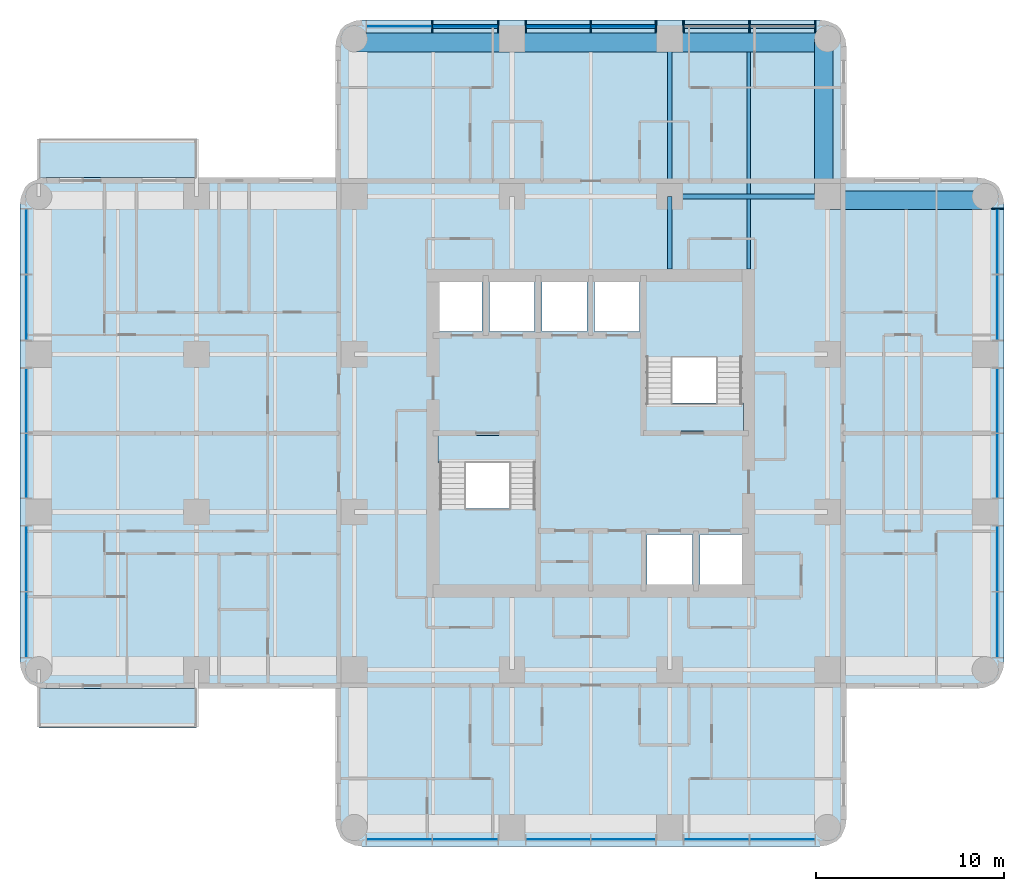
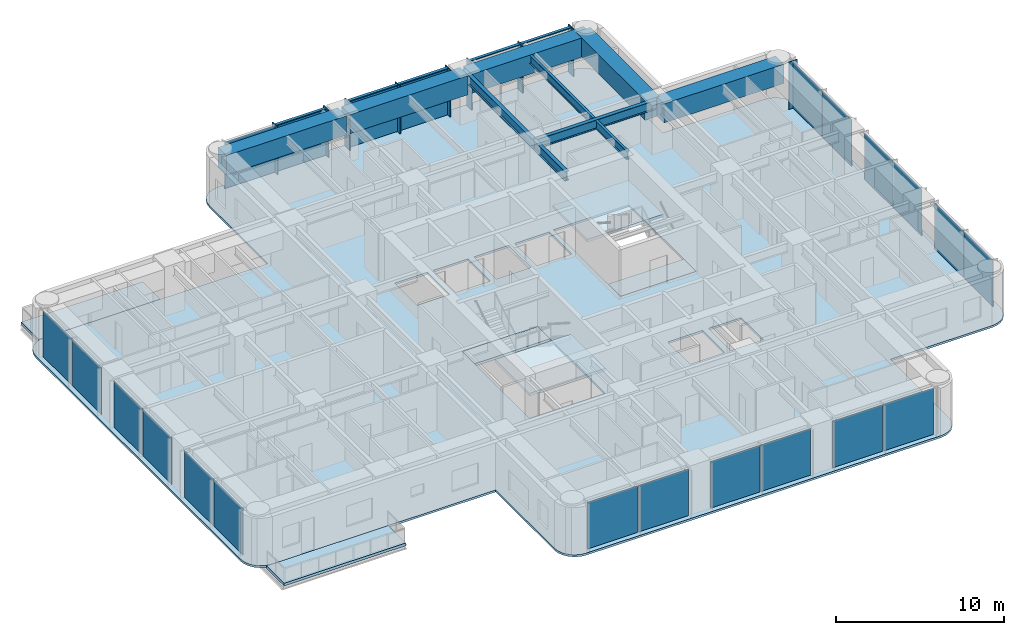
# One storey, part 3 of 11: 22 plates, 14 members, 10 beams, 7 slabs, 6 elements without a shape of their own.
"""IFC4 building model written with IfcOpenShell, lengths in metres."""

from ifc_helpers import new_model, si_unit, direction, frame, origin, origin_2d, place, context, subcontext, project, spatial, polyline, rectangle, i_section, outline, extrude, material, layer, layer_set, material_profile, profile_set, type_object, element, aggregate, save


model = new_model("IFC4")

# Units and contexts
model_context = context("Model", 3, precision=1e-05, world=origin(), true_north=direction((0.0, 1.0)))
body_context = subcontext(model_context, "Body", "Model", "MODEL_VIEW")
ifc_project = project(units=[si_unit("LENGTHUNIT", "METRE"), si_unit("AREAUNIT", "SQUARE_METRE"), si_unit("VOLUMEUNIT", "CUBIC_METRE"), si_unit("PLANEANGLEUNIT", "RADIAN"), si_unit("MASSUNIT", "GRAM", prefix="KILO")], contexts=[model_context])

# Site, building, storey
site_placement = place(None, origin())
site = spatial("IfcSite", under=ifc_project, at=site_placement, CompositionType="ELEMENT")
building_placement = place(site_placement, origin())
building = spatial("IfcBuilding", under=site, at=building_placement, Name="Torre Alcanfor", CompositionType="ELEMENT")
storey_placement = place(building_placement, frame((0.0, 0.0, 190.5)))
storey = spatial("IfcBuildingStorey", under=building, at=storey_placement, Name="L49", CompositionType="ELEMENT", Elevation=190.5)

# Curtain wall, member
ifc_material_1 = material(Name="Aluminium and glass", Category="aluminium")
curtain_wall_type = type_object("IfcCurtainWallType", Name="CW-A unitised apartment glazing with vertical FIN", PredefinedType="NOTDEFINED", material=ifc_material_1)
curtain_wall_1_placement = place(storey_placement, origin())
curtain_wall_1 = element("IfcCurtainWall", 1, at=curtain_wall_1_placement, inside=storey, type_object=curtain_wall_type, Name="Curtain wall CW-A L49 8", PredefinedType="NOTDEFINED")
ifc_material_2 = material(Name="Bronze anodised aluminium", Category="aluminium")
ifc_material_profile_1 = material_profile(ifc_material_2, rectangle(XDim=0.60009765625, YDim=0.06494140625, at=origin_2d()), Name="CW-A mullion 65x600")
ifc_profile_set_1 = profile_set([ifc_material_profile_1], Name="Bronze anodised aluminium")
member_type_1 = type_object("IfcMemberType", Name="CW-A mullion with vertical FIN 65x600", PredefinedType="MULLION", material=ifc_profile_set_1)
member_1_placement = place(storey_placement, frame((51.050048828125, 41.35546875, 0.0), z_axis=(0.0, 0.0, 1.0), x_axis=(-1.0, 0.0, 0.0)))
member_1 = element("IfcMember", 2, at=member_1_placement, type_object=member_type_1, Name="CW-A mullion 3.3", PredefinedType="MULLION", context=body_context, shape_type="SweptSolid", body=[
    extrude(rectangle(XDim=0.60009765625, YDim=0.06494140625, at=origin_2d()), origin(), (0.0, 0.0, 1.0), 3.449951171875),
])

# Curtain wall, members
curtain_wall_2_placement = place(storey_placement, origin())
curtain_wall_2 = element("IfcCurtainWall", 3, at=curtain_wall_2_placement, inside=storey, type_object=curtain_wall_type, Name="Curtain wall CW-A L49 11", PredefinedType="NOTDEFINED")
member_2_placement = place(storey_placement, frame((41.35546875, 51.050048828125, 0.0), z_axis=(0.0, 0.0, 1.0), x_axis=(0.0, -1.0, 0.0)))
member_2 = element("IfcMember", 4, at=member_2_placement, type_object=member_type_1, Name="CW-A mullion 1.1", PredefinedType="MULLION", context=body_context, shape_type="SweptSolid", body=[
    extrude(rectangle(XDim=0.60009765625, YDim=0.06494140625, at=origin_2d()), origin(), (0.0, 0.0, 1.0), 3.449951171875),
])
member_3_placement = place(storey_placement, frame((37.846435546875, 51.050048828125, 0.0), z_axis=(0.0, 0.0, 1.0), x_axis=(0.0, -1.0, 0.0)))
member_3 = element("IfcMember", 5, at=member_3_placement, type_object=member_type_1, Name="CW-A mullion 1.2", PredefinedType="MULLION", context=body_context, shape_type="SweptSolid", body=[
    extrude(rectangle(XDim=0.60009765625, YDim=0.06494140625, at=origin_2d()), origin(), (0.0, 0.0, 1.0), 3.449951171875),
])
member_4_placement = place(storey_placement, frame((34.33740234375, 51.050048828125, 0.0), z_axis=(0.0, 0.0, 1.0), x_axis=(0.0, -1.0, 0.0)))
member_4 = element("IfcMember", 6, at=member_4_placement, type_object=member_type_1, Name="CW-A mullion 1.3", PredefinedType="MULLION", context=body_context, shape_type="SweptSolid", body=[
    extrude(rectangle(XDim=0.60009765625, YDim=0.06494140625, at=origin_2d()), origin(), (0.0, 0.0, 1.0), 3.449951171875),
])
member_5_placement = place(storey_placement, frame((32.862548828125, 51.050048828125, 0.0), z_axis=(0.0, 0.0, 1.0), x_axis=(0.0, -1.0, 0.0)))
member_5 = element("IfcMember", 7, at=member_5_placement, type_object=member_type_1, Name="CW-A mullion 2.1", PredefinedType="MULLION", context=body_context, shape_type="SweptSolid", body=[
    extrude(rectangle(XDim=0.60009765625, YDim=0.06494140625, at=origin_2d()), origin(), (0.0, 0.0, 1.0), 3.449951171875),
])
member_6_placement = place(storey_placement, frame((29.39990234375, 51.050048828125, 0.0), z_axis=(0.0, 0.0, 1.0), x_axis=(0.0, -1.0, 0.0)))
member_6 = element("IfcMember", 8, at=member_6_placement, type_object=member_type_1, Name="CW-A mullion 2.2", PredefinedType="MULLION", context=body_context, shape_type="SweptSolid", body=[
    extrude(rectangle(XDim=0.60009765625, YDim=0.06494140625, at=origin_2d()), origin(), (0.0, 0.0, 1.0), 3.449951171875),
])
member_7_placement = place(storey_placement, frame((25.9375, 51.050048828125, 0.0), z_axis=(0.0, 0.0, 1.0), x_axis=(0.0, -1.0, 0.0)))
member_7 = element("IfcMember", 9, at=member_7_placement, type_object=member_type_1, Name="CW-A mullion 2.3", PredefinedType="MULLION", context=body_context, shape_type="SweptSolid", body=[
    extrude(rectangle(XDim=0.60009765625, YDim=0.06494140625, at=origin_2d()), origin(), (0.0, 0.0, 1.0), 3.449951171875),
])
member_8_placement = place(storey_placement, frame((24.46240234375, 51.050048828125, 0.0), z_axis=(0.0, 0.0, 1.0), x_axis=(0.0, -1.0, 0.0)))
member_8 = element("IfcMember", 10, at=member_8_placement, type_object=member_type_1, Name="CW-A mullion 3.1", PredefinedType="MULLION", context=body_context, shape_type="SweptSolid", body=[
    extrude(rectangle(XDim=0.60009765625, YDim=0.06494140625, at=origin_2d()), origin(), (0.0, 0.0, 1.0), 3.449951171875),
])
member_9_placement = place(storey_placement, frame((20.95361328125, 51.050048828125, 0.0), z_axis=(0.0, 0.0, 1.0), x_axis=(0.0, -1.0, 0.0)))
member_9 = element("IfcMember", 11, at=member_9_placement, type_object=member_type_1, Name="CW-A mullion 3.2", PredefinedType="MULLION", context=body_context, shape_type="SweptSolid", body=[
    extrude(rectangle(XDim=0.60009765625, YDim=0.06494140625, at=origin_2d()), origin(), (0.0, 0.0, 1.0), 3.449951171875),
])
ifc_material_3 = material(Name="Extruded aluminium", Category="aluminium")
ifc_material_profile_2 = material_profile(ifc_material_3, rectangle(XDim=0.199951171875, YDim=0.06494140625, at=origin_2d()), Name="CW-A transom 200x65")
ifc_profile_set_2 = profile_set([ifc_material_profile_2], Name="Extruded aluminium")
member_type_2 = type_object("IfcMemberType", Name="CW-A transom 65x200", PredefinedType="USERDEFINED", material=ifc_profile_set_2)
member_10_placement = place(storey_placement, frame((41.322998046875, 51.050048828125, 3.41748046875), z_axis=(-1.0, 0.0, 0.0), x_axis=(0.0, -1.0, 0.0)))
member_10 = element("IfcMember", 12, at=member_10_placement, type_object=member_type_2, Name="CW-A transom 1.1.2", ObjectType="TRANSOM", PredefinedType="USERDEFINED", context=body_context, shape_type="SweptSolid", body=[
    extrude(rectangle(XDim=0.199951171875, YDim=0.06494140625, at=origin_2d()), origin(), (0.0, 0.0, 1.0), 3.444091796875),
])
member_11_placement = place(storey_placement, frame((37.81396484375, 51.050048828125, 3.41748046875), z_axis=(-1.0, 0.0, 0.0), x_axis=(0.0, -1.0, 0.0)))
member_11 = element("IfcMember", 13, at=member_11_placement, type_object=member_type_2, Name="CW-A transom 1.2.2", ObjectType="TRANSOM", PredefinedType="USERDEFINED", context=body_context, shape_type="SweptSolid", body=[
    extrude(rectangle(XDim=0.199951171875, YDim=0.06494140625, at=origin_2d()), origin(), (0.0, 0.0, 1.0), 3.44384765625),
])
member_12_placement = place(storey_placement, frame((32.830078125, 51.050048828125, 3.41748046875), z_axis=(-1.0, 0.0, 0.0), x_axis=(0.0, -1.0, 0.0)))
member_12 = element("IfcMember", 14, at=member_12_placement, type_object=member_type_2, Name="CW-A transom 2.1.2", ObjectType="TRANSOM", PredefinedType="USERDEFINED", context=body_context, shape_type="SweptSolid", body=[
    extrude(rectangle(XDim=0.199951171875, YDim=0.06494140625, at=origin_2d()), origin(), (0.0, 0.0, 1.0), 3.3974609375),
])
member_13_placement = place(storey_placement, frame((29.367431640625, 51.050048828125, 3.41748046875), z_axis=(-1.0, 0.0, 0.0), x_axis=(0.0, -1.0, 0.0)))
member_13 = element("IfcMember", 15, at=member_13_placement, type_object=member_type_2, Name="CW-A transom 2.2.2", ObjectType="TRANSOM", PredefinedType="USERDEFINED", context=body_context, shape_type="SweptSolid", body=[
    extrude(rectangle(XDim=0.199951171875, YDim=0.06494140625, at=origin_2d()), origin(), (0.0, 0.0, 1.0), 3.3974609375),
])
member_14_placement = place(storey_placement, frame((24.429931640625, 51.050048828125, 3.41748046875), z_axis=(-1.0, 0.0, 0.0), x_axis=(0.0, -1.0, 0.0)))
member_14 = element("IfcMember", 16, at=member_14_placement, type_object=member_type_2, Name="CW-A transom 3.1.2", ObjectType="TRANSOM", PredefinedType="USERDEFINED", context=body_context, shape_type="SweptSolid", body=[
    extrude(rectangle(XDim=0.199951171875, YDim=0.06494140625, at=origin_2d()), origin(), (0.0, 0.0, 1.0), 3.44384765625),
])

# Beams
ifc_material_4 = material(Name="Steel ASTM A992 Grade 50", Category="steel")
ifc_material_profile_3 = material_profile(ifc_material_4, i_section(OverallWidth=0.25390625, OverallDepth=0.683349609375, WebThickness=0.012451171875, FlangeThickness=0.01904296875, at=origin_2d()), Name="W27x94")
ifc_profile_set_3 = profile_set([ifc_material_profile_3], Name="Steel ASTM A992 Grade 50")
beam_type_1 = type_object("IfcBeamType", Name="Girder W27x94", PredefinedType="BEAM", material=ifc_profile_set_3)
for number, where, z_axis, x_axis, name in (
    (17, (33.60009765625, 42.0, 3.1083984375), (1.0, 0.0, 0.0), (0.0, 1.0, 0.0), "Beam 5H-6H under L50"),
    (18, (33.60009765625, 42.0, 3.1083984375), (0.0, 1.0, 0.0), (-1.0, 0.0, 0.0), "Beam 5H-5J under L50"),
):
    element("IfcBeam", number, at=place(storey_placement, frame(where, z_axis=z_axis, x_axis=x_axis)), inside=storey, type_object=beam_type_1, Name=name, PredefinedType="BEAM", context=body_context, shape_type="SweptSolid", body=[
        extrude(i_section(OverallWidth=0.25390625, OverallDepth=0.683349609375, WebThickness=0.012451171875, FlangeThickness=0.01904296875, at=origin_2d()), origin(), (0.0, 0.0, 1.0), 8.39990234375),
    ])
ifc_material_5 = material(Name="Steel ASTM A992 Grade 50", Category="steel")
ifc_material_profile_4 = material_profile(ifc_material_5, i_section(OverallWidth=0.25390625, OverallDepth=0.683349609375, WebThickness=0.012451171875, FlangeThickness=0.01904296875, at=origin_2d()), Name="W27x94")
ifc_profile_set_4 = profile_set([ifc_material_profile_4], Name="Steel ASTM A992 Grade 50")
beam_type_2 = type_object("IfcBeamType", Name="Girder, part bay W27x94", PredefinedType="BEAM", material=ifc_profile_set_4)
beam_1_placement = place(storey_placement, frame((33.60009765625, 42.0, 3.1083984375), z_axis=(0.0, -1.0, 0.0), x_axis=(1.0, 0.0, 0.0)))
element("IfcBeam", 19, at=beam_1_placement, inside=storey, type_object=beam_type_2, Name="Beam 5H-538_15 under L50", PredefinedType="BEAM", context=body_context, shape_type="SweptSolid", body=[
    extrude(i_section(OverallWidth=0.25390625, OverallDepth=0.683349609375, WebThickness=0.012451171875, FlangeThickness=0.01904296875, at=origin_2d()), origin(), (0.0, 0.0, 1.0), 3.85009765625),
])
ifc_material_6 = material(Name="Concrete f'c 70 MPa", Category="concrete")
ifc_material_profile_5 = material_profile(ifc_material_6, rectangle(XDim=1.0, YDim=1.39990234375, at=origin_2d()), Name="1000x1400")
ifc_profile_set_5 = profile_set([ifc_material_profile_5], Name="Concrete f'c 70 MPa")
beam_type_3 = type_object("IfcBeamType", Name="RC perimeter beam 1000x1400", PredefinedType="BEAM", material=ifc_profile_set_5)
for number, where, z_axis, x_axis, name in (
    (20, (42.126953125, 41.800048828125, 2.75), (1.0, 0.0, 0.0), (0.0, 1.0, 0.0), "Beam 6H-7H under L50"),
    (21, (16.800048828125, 50.199951171875, 2.75), (1.0, 0.0, 0.0), (0.0, 1.0, 0.0), "Beam 3J-4J under L50"),
):
    element("IfcBeam", number, at=place(storey_placement, frame(where, z_axis=z_axis, x_axis=x_axis)), inside=storey, type_object=beam_type_3, Name=name, PredefinedType="BEAM", context=body_context, shape_type="SweptSolid", body=[
        extrude(rectangle(XDim=1.0, YDim=1.39990234375, at=origin_2d()), origin(), (0.0, 0.0, 1.0), 8.27294921875),
    ])
beam_2_placement = place(storey_placement, frame((25.326904296875, 50.199951171875, 2.75), z_axis=(1.0, 0.0, 0.0), x_axis=(0.0, 1.0, 0.0)))
element("IfcBeam", 22, at=beam_2_placement, inside=storey, type_object=beam_type_3, Name="Beam 4J-5J under L50", PredefinedType="BEAM", context=body_context, shape_type="SweptSolid", body=[
    extrude(rectangle(XDim=1.0, YDim=1.39990234375, at=origin_2d()), origin(), (0.0, 0.0, 1.0), 8.14599609375),
])
for number, where, z_axis, x_axis, name in (
    (23, (33.72705078125, 50.199951171875, 2.75), (1.0, 0.0, 0.0), (0.0, 1.0, 0.0), "Beam 5J-6J under L50"),
    (24, (41.800048828125, 42.126953125, 2.75), (0.0, 1.0, 0.0), (-1.0, 0.0, 0.0), "Beam 6H-6J under L50"),
):
    element("IfcBeam", number, at=place(storey_placement, frame(where, z_axis=z_axis, x_axis=x_axis)), inside=storey, type_object=beam_type_3, Name=name, PredefinedType="BEAM", context=body_context, shape_type="SweptSolid", body=[
        extrude(rectangle(XDim=1.0, YDim=1.39990234375, at=origin_2d()), origin(), (0.0, 0.0, 1.0), 8.27294921875),
    ])
ifc_material_7 = material(Name="Steel ASTM A992 Grade 50", Category="steel")
ifc_material_profile_6 = material_profile(ifc_material_7, i_section(OverallWidth=0.1787109375, OverallDepth=0.60205078125, WebThickness=0.010986328125, FlangeThickness=0.014892578125, at=origin_2d()), Name="W24x62")
ifc_profile_set_6 = profile_set([ifc_material_profile_6], Name="Steel ASTM A992 Grade 50")
beam_type_4 = type_object("IfcBeamType", Name="Secondary beam W24x62", PredefinedType="BEAM", material=ifc_profile_set_6)
beam_3_placement = place(storey_placement, frame((37.800048828125, 42.126953125, 3.14892578125), z_axis=(0.0, 1.0, 0.0), x_axis=(-1.0, 0.0, 0.0)))
element("IfcBeam", 25, at=beam_3_placement, inside=storey, type_object=beam_type_4, Name="Beam 37_8H-37_8J under L50", PredefinedType="BEAM", context=body_context, shape_type="SweptSolid", body=[
    extrude(i_section(OverallWidth=0.1787109375, OverallDepth=0.60205078125, WebThickness=0.010986328125, FlangeThickness=0.014892578125, at=origin_2d()), origin(), (0.0, 0.0, 1.0), 7.572998046875),
])
ifc_material_8 = material(Name="Steel ASTM A992 Grade 50", Category="steel")
ifc_material_profile_7 = material_profile(ifc_material_8, i_section(OverallWidth=0.1787109375, OverallDepth=0.60205078125, WebThickness=0.010986328125, FlangeThickness=0.014892578125, at=origin_2d()), Name="W24x62")
ifc_profile_set_7 = profile_set([ifc_material_profile_7], Name="Steel ASTM A992 Grade 50")
beam_type_5 = type_object("IfcBeamType", Name="Secondary beam, part bay W24x62", PredefinedType="BEAM", material=ifc_profile_set_7)
beam_4_placement = place(storey_placement, frame((37.800048828125, 38.14990234375, 3.14892578125), z_axis=(0.0, 1.0, 0.0), x_axis=(-1.0, 0.0, 0.0)))
element("IfcBeam", 26, at=beam_4_placement, inside=storey, type_object=beam_type_5, Name="Beam 37_838_15-37_8H under L50", PredefinedType="BEAM", context=body_context, shape_type="SweptSolid", body=[
    extrude(i_section(OverallWidth=0.1787109375, OverallDepth=0.60205078125, WebThickness=0.010986328125, FlangeThickness=0.014892578125, at=origin_2d()), origin(), (0.0, 0.0, 1.0), 3.72314453125),
])

# Slabs
ifc_material_9 = material(Name="Concrete f'c 35 MPa", Category="concrete")
ifc_layer_1 = layer(ifc_material_9, 0.199951171875)
ifc_layer_set_1 = layer_set([ifc_layer_1], Name="Balcony slab 200")
slab_type_1 = type_object("IfcSlabType", Name="Balcony slab 200", PredefinedType="FLOOR", material=ifc_layer_set_1)
slab_1_placement = place(storey_placement, frame((0.0, 0.0, -0.199951171875)))
element("IfcSlab", 27, at=slab_1_placement, inside=storey, type_object=slab_type_1, Name="Balcony L49-W1", PredefinedType="FLOOR", context=body_context, shape_type="SweptSolid", body=[
    extrude(outline(polyline([(8.39990234375, 15.800048828125), (0.0, 15.800048828125), (0.0, 13.699951171875), (8.39990234375, 13.699951171875), (8.39990234375, 15.800048828125)])), origin(), (0.0, 0.0, 1.0), 0.199951171875),
])
slab_2_placement = place(storey_placement, frame((0.0, 0.0, -0.199951171875)))
element("IfcSlab", 28, at=slab_2_placement, inside=storey, type_object=slab_type_1, Name="Balcony L49-W2", PredefinedType="FLOOR", context=body_context, shape_type="SweptSolid", body=[
    extrude(outline(polyline([(8.39990234375, 45.10009765625), (0.0, 45.10009765625), (0.0, 43.0), (8.39990234375, 43.0), (8.39990234375, 45.10009765625)])), origin(), (0.0, 0.0, 1.0), 0.199951171875),
])

# Curtain wall, plates
curtain_wall_3_placement = place(storey_placement, origin())
curtain_wall_3 = element("IfcCurtainWall", 29, at=curtain_wall_3_placement, inside=storey, type_object=curtain_wall_type, Name="Curtain wall CW-A L49 2", PredefinedType="NOTDEFINED")
ifc_material_10 = material(Name="Glass", Category="glass")
ifc_layer_2 = layer(ifc_material_10, 0.028076171875)
ifc_layer_set_2 = layer_set([ifc_layer_2], Name="CW-A clear double glazed unit")
plate_type = type_object("IfcPlateType", Name="CW-A clear double glazed unit", PredefinedType="CURTAIN_PANEL", material=ifc_layer_set_2)
plate_1_placement = place(storey_placement, frame((-0.64990234375, 39.60107421875, 0.0), z_axis=(0.0, 0.0, 1.0), x_axis=(0.0, -1.0, 0.0)))
plate_1 = element("IfcPlate", 30, at=plate_1_placement, type_object=plate_type, Name="CW-A panel 1.1.1", PredefinedType="CURTAIN_PANEL", context=body_context, shape_type="SweptSolid", body=[
    extrude(rectangle(XDim=3.444091796875, YDim=0.028076171875, at=origin_2d()), origin(), (0.0, 0.0, 1.0), 3.385009765625),
])
plate_2_placement = place(storey_placement, frame((-0.64990234375, 36.092041015625, 0.0), z_axis=(0.0, 0.0, 1.0), x_axis=(0.0, -1.0, 0.0)))
plate_2 = element("IfcPlate", 31, at=plate_2_placement, type_object=plate_type, Name="CW-A panel 1.2.1", PredefinedType="CURTAIN_PANEL", context=body_context, shape_type="SweptSolid", body=[
    extrude(rectangle(XDim=3.444091796875, YDim=0.028076171875, at=origin_2d()), origin(), (0.0, 0.0, 1.0), 3.385009765625),
])
plate_3_placement = place(storey_placement, frame((-0.64990234375, 31.13134765625, 0.0), z_axis=(0.0, 0.0, 1.0), x_axis=(0.0, -1.0, 0.0)))
plate_3 = element("IfcPlate", 32, at=plate_3_placement, type_object=plate_type, Name="CW-A panel 2.1.1", PredefinedType="CURTAIN_PANEL", context=body_context, shape_type="SweptSolid", body=[
    extrude(rectangle(XDim=3.3974609375, YDim=0.028076171875, at=origin_2d()), origin(), (0.0, 0.0, 1.0), 3.385009765625),
])
plate_4_placement = place(storey_placement, frame((-0.64990234375, 27.668701171875, 0.0), z_axis=(0.0, 0.0, 1.0), x_axis=(0.0, -1.0, 0.0)))
plate_4 = element("IfcPlate", 33, at=plate_4_placement, type_object=plate_type, Name="CW-A panel 2.2.1", PredefinedType="CURTAIN_PANEL", context=body_context, shape_type="SweptSolid", body=[
    extrude(rectangle(XDim=3.3974609375, YDim=0.028076171875, at=origin_2d()), origin(), (0.0, 0.0, 1.0), 3.385009765625),
])
plate_5_placement = place(storey_placement, frame((-0.64990234375, 22.7080078125, 0.0), z_axis=(0.0, 0.0, 1.0), x_axis=(0.0, -1.0, 0.0)))
plate_5 = element("IfcPlate", 34, at=plate_5_placement, type_object=plate_type, Name="CW-A panel 3.1.1", PredefinedType="CURTAIN_PANEL", context=body_context, shape_type="SweptSolid", body=[
    extrude(rectangle(XDim=3.444091796875, YDim=0.028076171875, at=origin_2d()), origin(), (0.0, 0.0, 1.0), 3.385009765625),
])
plate_6_placement = place(storey_placement, frame((-0.64990234375, 19.198974609375, 0.0), z_axis=(0.0, 0.0, 1.0), x_axis=(0.0, -1.0, 0.0)))
plate_6 = element("IfcPlate", 35, at=plate_6_placement, type_object=plate_type, Name="CW-A panel 3.2.1", PredefinedType="CURTAIN_PANEL", context=body_context, shape_type="SweptSolid", body=[
    extrude(rectangle(XDim=3.444091796875, YDim=0.028076171875, at=origin_2d()), origin(), (0.0, 0.0, 1.0), 3.385009765625),
])
aggregate(curtain_wall_3, [plate_1, plate_2, plate_3, plate_4, plate_5, plate_6])

curtain_wall_4_placement = place(storey_placement, origin())
curtain_wall_4 = element("IfcCurtainWall", 36, at=curtain_wall_4_placement, inside=storey, type_object=curtain_wall_type, Name="Curtain wall CW-A L49 5", PredefinedType="NOTDEFINED")
plate_7_placement = place(storey_placement, frame((19.198974609375, 7.75, 0.0), z_axis=(0.0, 0.0, 1.0), x_axis=(1.0, 0.0, 0.0)))
plate_7 = element("IfcPlate", 37, at=plate_7_placement, type_object=plate_type, Name="CW-A panel 1.1.1", PredefinedType="CURTAIN_PANEL", context=body_context, shape_type="SweptSolid", body=[
    extrude(rectangle(XDim=3.444091796875, YDim=0.028076171875, at=origin_2d()), origin(), (0.0, 0.0, 1.0), 3.385009765625),
])
plate_8_placement = place(storey_placement, frame((22.7080078125, 7.75, 0.0), z_axis=(0.0, 0.0, 1.0), x_axis=(1.0, 0.0, 0.0)))
plate_8 = element("IfcPlate", 38, at=plate_8_placement, type_object=plate_type, Name="CW-A panel 1.2.1", PredefinedType="CURTAIN_PANEL", context=body_context, shape_type="SweptSolid", body=[
    extrude(rectangle(XDim=3.444091796875, YDim=0.028076171875, at=origin_2d()), origin(), (0.0, 0.0, 1.0), 3.385009765625),
])
plate_9_placement = place(storey_placement, frame((27.668701171875, 7.75, 0.0), z_axis=(0.0, 0.0, 1.0), x_axis=(1.0, 0.0, 0.0)))
plate_9 = element("IfcPlate", 39, at=plate_9_placement, type_object=plate_type, Name="CW-A panel 2.1.1", PredefinedType="CURTAIN_PANEL", context=body_context, shape_type="SweptSolid", body=[
    extrude(rectangle(XDim=3.3974609375, YDim=0.028076171875, at=origin_2d()), origin(), (0.0, 0.0, 1.0), 3.385009765625),
])
plate_10_placement = place(storey_placement, frame((31.13134765625, 7.75, 0.0), z_axis=(0.0, 0.0, 1.0), x_axis=(1.0, 0.0, 0.0)))
plate_10 = element("IfcPlate", 40, at=plate_10_placement, type_object=plate_type, Name="CW-A panel 2.2.1", PredefinedType="CURTAIN_PANEL", context=body_context, shape_type="SweptSolid", body=[
    extrude(rectangle(XDim=3.3974609375, YDim=0.028076171875, at=origin_2d()), origin(), (0.0, 0.0, 1.0), 3.385009765625),
])
plate_11_placement = place(storey_placement, frame((36.092041015625, 7.75, 0.0), z_axis=(0.0, 0.0, 1.0), x_axis=(1.0, 0.0, 0.0)))
plate_11 = element("IfcPlate", 41, at=plate_11_placement, type_object=plate_type, Name="CW-A panel 3.1.1", PredefinedType="CURTAIN_PANEL", context=body_context, shape_type="SweptSolid", body=[
    extrude(rectangle(XDim=3.444091796875, YDim=0.028076171875, at=origin_2d()), origin(), (0.0, 0.0, 1.0), 3.385009765625),
])
plate_12_placement = place(storey_placement, frame((39.60107421875, 7.75, 0.0), z_axis=(0.0, 0.0, 1.0), x_axis=(1.0, 0.0, 0.0)))
plate_12 = element("IfcPlate", 42, at=plate_12_placement, type_object=plate_type, Name="CW-A panel 3.2.1", PredefinedType="CURTAIN_PANEL", context=body_context, shape_type="SweptSolid", body=[
    extrude(rectangle(XDim=3.444091796875, YDim=0.028076171875, at=origin_2d()), origin(), (0.0, 0.0, 1.0), 3.385009765625),
])
aggregate(curtain_wall_4, [plate_7, plate_8, plate_9, plate_10, plate_11, plate_12])

# Plate
plate_13_placement = place(storey_placement, frame((51.050048828125, 19.198974609375, 0.0), z_axis=(0.0, 0.0, 1.0), x_axis=(0.0, 1.0, 0.0)))
plate_13 = element("IfcPlate", 43, at=plate_13_placement, type_object=plate_type, Name="CW-A panel 1.1.1", PredefinedType="CURTAIN_PANEL", context=body_context, shape_type="SweptSolid", body=[
    extrude(rectangle(XDim=3.444091796875, YDim=0.028076171875, at=origin_2d()), origin(), (0.0, 0.0, 1.0), 3.385009765625),
])

plate_14_placement = place(storey_placement, frame((51.050048828125, 22.7080078125, 0.0), z_axis=(0.0, 0.0, 1.0), x_axis=(0.0, 1.0, 0.0)))
plate_14 = element("IfcPlate", 44, at=plate_14_placement, type_object=plate_type, Name="CW-A panel 1.2.1", PredefinedType="CURTAIN_PANEL", context=body_context, shape_type="SweptSolid", body=[
    extrude(rectangle(XDim=3.444091796875, YDim=0.028076171875, at=origin_2d()), origin(), (0.0, 0.0, 1.0), 3.385009765625),
])

plate_15_placement = place(storey_placement, frame((51.050048828125, 27.668701171875, 0.0), z_axis=(0.0, 0.0, 1.0), x_axis=(0.0, 1.0, 0.0)))
plate_15 = element("IfcPlate", 45, at=plate_15_placement, type_object=plate_type, Name="CW-A panel 2.1.1", PredefinedType="CURTAIN_PANEL", context=body_context, shape_type="SweptSolid", body=[
    extrude(rectangle(XDim=3.3974609375, YDim=0.028076171875, at=origin_2d()), origin(), (0.0, 0.0, 1.0), 3.385009765625),
])

plate_16_placement = place(storey_placement, frame((51.050048828125, 31.13134765625, 0.0), z_axis=(0.0, 0.0, 1.0), x_axis=(0.0, 1.0, 0.0)))
plate_16 = element("IfcPlate", 46, at=plate_16_placement, type_object=plate_type, Name="CW-A panel 2.2.1", PredefinedType="CURTAIN_PANEL", context=body_context, shape_type="SweptSolid", body=[
    extrude(rectangle(XDim=3.3974609375, YDim=0.028076171875, at=origin_2d()), origin(), (0.0, 0.0, 1.0), 3.385009765625),
])

plate_17_placement = place(storey_placement, frame((51.050048828125, 36.092041015625, 0.0), z_axis=(0.0, 0.0, 1.0), x_axis=(0.0, 1.0, 0.0)))
plate_17 = element("IfcPlate", 47, at=plate_17_placement, type_object=plate_type, Name="CW-A panel 3.1.1", PredefinedType="CURTAIN_PANEL", context=body_context, shape_type="SweptSolid", body=[
    extrude(rectangle(XDim=3.444091796875, YDim=0.028076171875, at=origin_2d()), origin(), (0.0, 0.0, 1.0), 3.385009765625),
])

plate_18_placement = place(storey_placement, frame((51.050048828125, 39.60107421875, 0.0), z_axis=(0.0, 0.0, 1.0), x_axis=(0.0, 1.0, 0.0)))
plate_18 = element("IfcPlate", 48, at=plate_18_placement, type_object=plate_type, Name="CW-A panel 3.2.1", PredefinedType="CURTAIN_PANEL", context=body_context, shape_type="SweptSolid", body=[
    extrude(rectangle(XDim=3.444091796875, YDim=0.028076171875, at=origin_2d()), origin(), (0.0, 0.0, 1.0), 3.385009765625),
])

aggregate(curtain_wall_1, [plate_13, plate_14, plate_15, plate_16, member_1, plate_17, plate_18])

plate_19_placement = place(storey_placement, frame((31.13134765625, 51.050048828125, 0.0), z_axis=(0.0, 0.0, 1.0), x_axis=(-1.0, 0.0, 0.0)))
plate_19 = element("IfcPlate", 49, at=plate_19_placement, type_object=plate_type, Name="CW-A panel 2.1.1", PredefinedType="CURTAIN_PANEL", context=body_context, shape_type="SweptSolid", body=[
    extrude(rectangle(XDim=3.3974609375, YDim=0.028076171875, at=origin_2d()), origin(), (0.0, 0.0, 1.0), 3.385009765625),
])

plate_20_placement = place(storey_placement, frame((27.668701171875, 51.050048828125, 0.0), z_axis=(0.0, 0.0, 1.0), x_axis=(-1.0, 0.0, 0.0)))
plate_20 = element("IfcPlate", 50, at=plate_20_placement, type_object=plate_type, Name="CW-A panel 2.2.1", PredefinedType="CURTAIN_PANEL", context=body_context, shape_type="SweptSolid", body=[
    extrude(rectangle(XDim=3.3974609375, YDim=0.028076171875, at=origin_2d()), origin(), (0.0, 0.0, 1.0), 3.385009765625),
])

plate_21_placement = place(storey_placement, frame((22.7080078125, 51.050048828125, 0.0), z_axis=(0.0, 0.0, 1.0), x_axis=(-1.0, 0.0, 0.0)))
plate_21 = element("IfcPlate", 51, at=plate_21_placement, type_object=plate_type, Name="CW-A panel 3.1.1", PredefinedType="CURTAIN_PANEL", context=body_context, shape_type="SweptSolid", body=[
    extrude(rectangle(XDim=3.444091796875, YDim=0.028076171875, at=origin_2d()), origin(), (0.0, 0.0, 1.0), 3.385009765625),
])

plate_22_placement = place(storey_placement, frame((19.198974609375, 51.050048828125, 0.0), z_axis=(0.0, 0.0, 1.0), x_axis=(-1.0, 0.0, 0.0)))
plate_22 = element("IfcPlate", 52, at=plate_22_placement, type_object=plate_type, Name="CW-A panel 3.2.1", PredefinedType="CURTAIN_PANEL", context=body_context, shape_type="SweptSolid", body=[
    extrude(rectangle(XDim=3.444091796875, YDim=0.028076171875, at=origin_2d()), origin(), (0.0, 0.0, 1.0), 3.385009765625),
])

aggregate(curtain_wall_2, [member_2, member_3, member_4, member_10, member_11, member_5, member_6, member_7, member_12, plate_19, member_13, plate_20, member_8, member_9, member_14, plate_21, plate_22])

# Slab
ifc_material_11 = material(Name="Concrete f'c 35 MPa", Category="concrete")
ifc_layer_3 = layer(ifc_material_11, 0.14990234375)
ifc_layer_set_3 = layer_set([ifc_layer_3], Name="Composite floor 150 on metal deck")
slab_type_2 = type_object("IfcSlabType", Name="Composite floor 150 on metal deck", PredefinedType="FLOOR", material=ifc_layer_set_3)
slab_3_placement = place(storey_placement, frame((0.0, 0.0, -0.14990234375)))
element("IfcSlab", 53, at=slab_3_placement, inside=storey, type_object=slab_type_2, Name="Floor slab L49", PredefinedType="FLOOR", context=body_context, shape_type="SweptSolid", body=[
    extrude(outline(polyline([(15.800048828125, 43.0), (0.39990234375, 43.0), (0.03759765625, 42.952392578125), (-0.300048828125, 42.8125), (-0.58984375, 42.58984375), (-0.8125, 42.300048828125), (-0.952392578125, 41.96240234375), (-1.0, 41.60009765625), (-1.0, 17.199951171875), (-0.952392578125, 16.837646484375), (-0.8125, 16.5), (-0.58984375, 16.210205078125), (-0.300048828125, 15.987548828125), (0.03759765625, 15.84765625), (0.39990234375, 15.800048828125), (15.800048828125, 15.800048828125), (15.800048828125, 8.800048828125), (15.84765625, 8.437744140625), (15.987548828125, 8.10009765625), (16.210205078125, 7.81005859375), (16.5, 7.587646484375), (16.837646484375, 7.44775390625), (17.199951171875, 7.39990234375), (41.60009765625, 7.39990234375), (41.96240234375, 7.44775390625), (42.300048828125, 7.587646484375), (42.58984375, 7.81005859375), (42.8125, 8.10009765625), (42.952392578125, 8.437744140625), (43.0, 8.800048828125), (43.0, 15.800048828125), (50.0, 15.800048828125), (50.3623046875, 15.84765625), (50.699951171875, 15.987548828125), (50.989990234375, 16.210205078125), (51.21240234375, 16.5), (51.352294921875, 16.837646484375), (51.39990234375, 17.199951171875), (51.39990234375, 41.60009765625), (51.352294921875, 41.96240234375), (51.21240234375, 42.300048828125), (50.989990234375, 42.58984375), (50.699951171875, 42.8125), (50.3623046875, 42.952392578125), (50.0, 43.0), (43.0, 43.0), (43.0, 50.0), (42.952392578125, 50.3623046875), (42.8125, 50.699951171875), (42.58984375, 50.989990234375), (42.300048828125, 51.21240234375), (41.96240234375, 51.352294921875), (41.60009765625, 51.39990234375), (17.199951171875, 51.39990234375), (16.837646484375, 51.352294921875), (16.5, 51.21240234375), (16.210205078125, 50.989990234375), (15.987548828125, 50.699951171875), (15.84765625, 50.3623046875), (15.800048828125, 50.0), (15.800048828125, 43.0)]), holes=[polyline([(21.27001953125, 21.27001953125), (26.47998046875, 21.27001953125), (26.47998046875, 29.280029296875), (21.27001953125, 29.280029296875), (21.27001953125, 21.27001953125)]), polyline([(32.320068359375, 29.52001953125), (37.530029296875, 29.52001953125), (37.530029296875, 37.530029296875), (32.320068359375, 37.530029296875), (32.320068359375, 29.52001953125)]), polyline([(32.39990234375, 21.35009765625), (34.800048828125, 21.35009765625), (34.800048828125, 24.0), (32.39990234375, 24.0), (32.39990234375, 21.35009765625)]), polyline([(35.199951171875, 21.35009765625), (37.449951171875, 21.35009765625), (37.449951171875, 24.0), (35.199951171875, 24.0), (35.199951171875, 21.35009765625)]), polyline([(21.35009765625, 34.800048828125), (23.60009765625, 34.800048828125), (23.60009765625, 37.449951171875), (21.35009765625, 37.449951171875), (21.35009765625, 34.800048828125)]), polyline([(24.0, 34.800048828125), (26.39990234375, 34.800048828125), (26.39990234375, 37.449951171875), (24.0, 37.449951171875), (24.0, 34.800048828125)]), polyline([(26.800048828125, 34.800048828125), (29.199951171875, 34.800048828125), (29.199951171875, 37.449951171875), (26.800048828125, 37.449951171875), (26.800048828125, 34.800048828125)]), polyline([(29.60009765625, 34.800048828125), (32.0, 34.800048828125), (32.0, 37.449951171875), (29.60009765625, 37.449951171875), (29.60009765625, 34.800048828125)])]), origin(), (0.0, 0.0, 1.0), 0.14990234375),
])

# Stair, slabs
ifc_material_12 = material(Name="Concrete f'c 35 MPa", Category="concrete")
stair_type_1 = type_object("IfcStairType", Name="Exit stair S1 1400 wide", PredefinedType="HALF_TURN_STAIR", material=ifc_material_12)
stair_1_placement = place(storey_placement, origin())
stair_1 = element("IfcStair", 54, at=stair_1_placement, inside=storey, type_object=stair_type_1, Name="Stair S1 L49 to L50", PredefinedType="HALF_TURN_STAIR")
ifc_material_13 = material(Name="Concrete f'c 35 MPa", Category="concrete")
ifc_layer_4 = layer(ifc_material_13, 0.199951171875)
ifc_layer_set_4 = layer_set([ifc_layer_4], Name="Stair landing 200")
slab_type_3 = type_object("IfcSlabType", Name="Stair landing 200", PredefinedType="LANDING", material=ifc_layer_set_4)
slab_4_placement = place(storey_placement, frame((0.0, 0.0, -0.199951171875)))
slab_4 = element("IfcSlab", 55, at=slab_4_placement, type_object=slab_type_3, Name="S1 landing 1", PredefinedType="LANDING", context=body_context, shape_type="SweptSolid", body=[
    extrude(outline(polyline([(21.27001953125, 27.800048828125), (26.47998046875, 27.800048828125), (26.47998046875, 29.280029296875), (21.27001953125, 29.280029296875), (21.27001953125, 27.800048828125)])), origin(), (0.0, 0.0, 1.0), 0.199951171875),
])
slab_5_placement = place(storey_placement, frame((0.0, 0.0, 1.60009765625)))
slab_5 = element("IfcSlab", 56, at=slab_5_placement, type_object=slab_type_3, Name="S1 landing 2", PredefinedType="LANDING", context=body_context, shape_type="SweptSolid", body=[
    extrude(outline(polyline([(21.27001953125, 21.27001953125), (26.530029296875, 21.27001953125), (26.530029296875, 25.3798828125), (21.27001953125, 25.3798828125), (21.27001953125, 21.27001953125)])), origin(), (0.0, 0.0, 1.0), 0.199951171875),
])
aggregate(stair_1, [slab_4, slab_5])

ifc_material_14 = material(Name="Concrete f'c 35 MPa", Category="concrete")
stair_type_2 = type_object("IfcStairType", Name="Exit stair S2 1400 wide", PredefinedType="HALF_TURN_STAIR", material=ifc_material_14)
stair_2_placement = place(storey_placement, origin())
stair_2 = element("IfcStair", 57, at=stair_2_placement, inside=storey, type_object=stair_type_2, Name="Stair S2 L49 to L50", PredefinedType="HALF_TURN_STAIR")
slab_6_placement = place(storey_placement, frame((0.0, 0.0, -0.199951171875)))
slab_6 = element("IfcSlab", 58, at=slab_6_placement, type_object=slab_type_3, Name="S2 landing 1", PredefinedType="LANDING", context=body_context, shape_type="SweptSolid", body=[
    extrude(outline(polyline([(32.320068359375, 29.52001953125), (37.530029296875, 29.52001953125), (37.530029296875, 31.0), (32.320068359375, 31.0), (32.320068359375, 29.52001953125)])), origin(), (0.0, 0.0, 1.0), 0.199951171875),
])
slab_7_placement = place(storey_placement, frame((0.0, 0.0, 1.60009765625)))
slab_7 = element("IfcSlab", 59, at=slab_7_placement, type_object=slab_type_3, Name="S2 landing 2", PredefinedType="LANDING", context=body_context, shape_type="SweptSolid", body=[
    extrude(outline(polyline([(32.27001953125, 33.419921875), (37.530029296875, 33.419921875), (37.530029296875, 37.530029296875), (32.27001953125, 37.530029296875), (32.27001953125, 33.419921875)])), origin(), (0.0, 0.0, 1.0), 0.199951171875),
])
aggregate(stair_2, [slab_6, slab_7])

save(model, "model.ifc")
